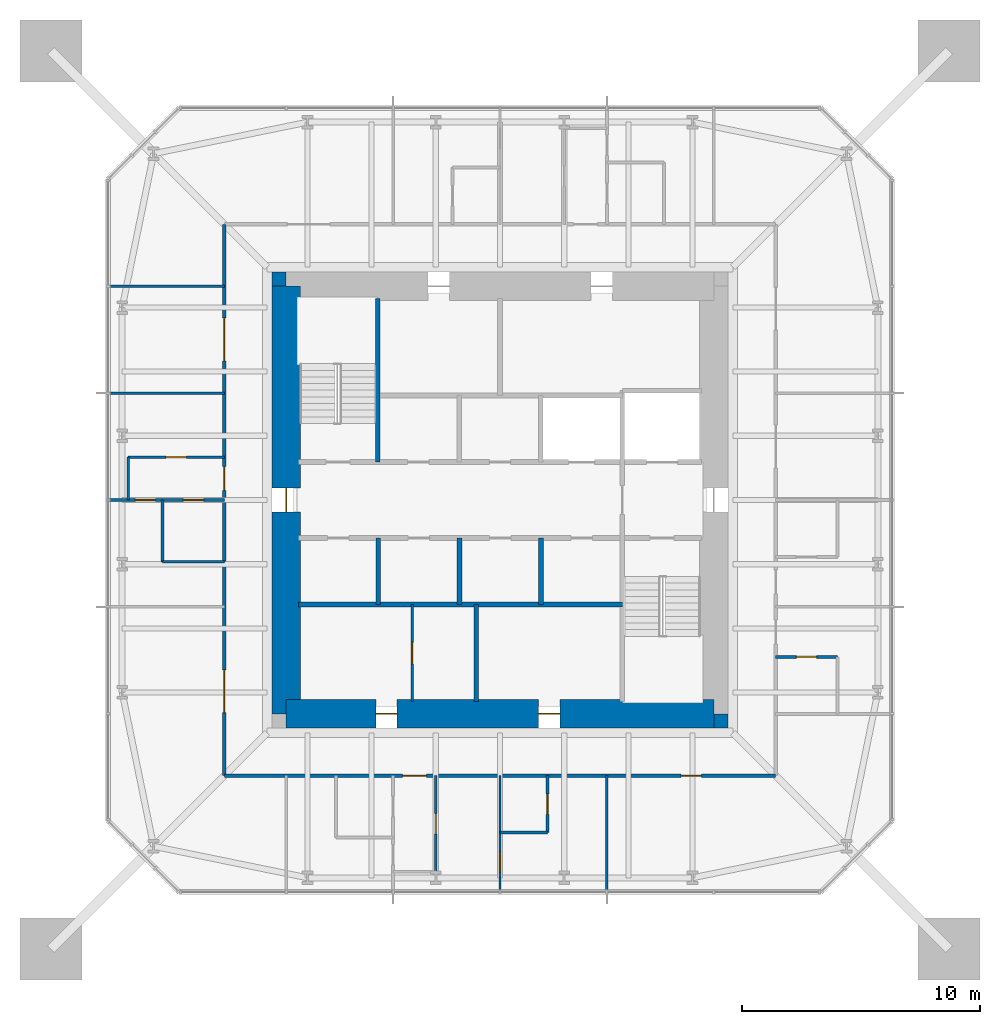
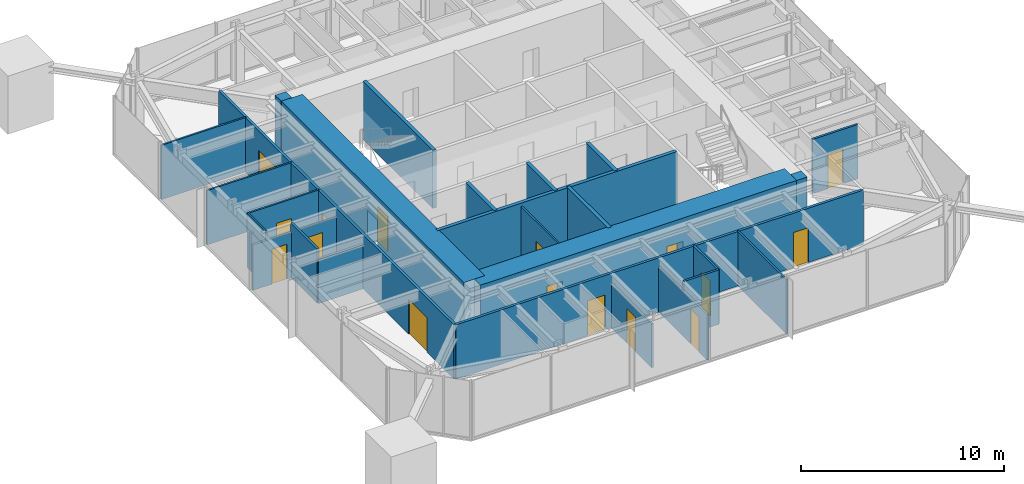
# One storey, part 6 of 9: 26 walls, 16 doors, 16 openings.
"""IFC4 building model written with IfcOpenShell, lengths in metres."""

from ifc_helpers import new_model, si_unit, direction, frame, frame_2d, origin, place, context, subcontext, project, spatial, rectangle, extrude, material, layer, layer_set, type_object, element, fill, save


model = new_model("IFC4")

# Units and contexts
model_context = context("Model", 3, precision=1e-05, world=origin(), true_north=direction((0.0, 1.0)))
body_context = subcontext(model_context, "Body", "Model", "MODEL_VIEW")
ifc_project = project(units=[si_unit("LENGTHUNIT", "METRE"), si_unit("AREAUNIT", "SQUARE_METRE"), si_unit("VOLUMEUNIT", "CUBIC_METRE"), si_unit("PLANEANGLEUNIT", "RADIAN"), si_unit("MASSUNIT", "GRAM", prefix="KILO")], contexts=[model_context])

# Site, building, storey
site_placement = place(None, origin())
site = spatial("IfcSite", under=ifc_project, at=site_placement, CompositionType="ELEMENT")
building_placement = place(site_placement, origin())
building = spatial("IfcBuilding", under=site, at=building_placement, Name="Iwan Alto Co-Living Towers", CompositionType="ELEMENT")
storey_placement = place(building_placement, frame((0.0, 0.0, 257.0)))
storey = spatial("IfcBuildingStorey", under=building, at=storey_placement, Name="L70", CompositionType="ELEMENT", Elevation=257.0)

# Wall, openings, doors
ifc_material_1 = material(Name="Gypsum board")
ifc_layer_1 = layer(ifc_material_1, 0.02490234375, Name="Board", Category="Finish")
ifc_material_2 = material(Name="Steel ASTM A1003 ST33H cold-formed studs", Category="steel")
ifc_layer_2 = layer(ifc_material_2, 0.10009765625, Name="Studs", Category="Framing")
ifc_layer_3 = layer(ifc_material_1, 0.02490234375, Name="Board", Category="Finish")
ifc_layer_set_1 = layer_set([ifc_layer_1, ifc_layer_2, ifc_layer_3], Name="CORRIDOR WALL 150")
wall_type_1 = type_object("IfcWallType", Name="CORRIDOR WALL 150", PredefinedType="PARTITIONING", material=ifc_layer_set_1)
wall_1_placement = place(storey_placement, frame((-11.60009765625, -11.60009765625, 0.0), z_axis=(0.0, 0.0, 1.0), x_axis=(1.0, 0.0, 0.0)))
wall_1 = element("IfcWall", 1, at=wall_1_placement, inside=storey, type_object=wall_type_1, Name="Partition L70", PredefinedType="PARTITIONING", context=body_context, shape_type="SweptSolid", body=[
    extrude(rectangle(XDim=23.2001953125, YDim=0.14990234375, at=frame_2d((11.60009765625, 0.0))), origin(), (0.0, 0.0, 1.0), 3.27001953125),
])
opening_1_placement = place(wall_1_placement, frame((7.5, 0.0, 0.0)))
opening_1 = element("IfcOpeningElement", 2, at=opening_1_placement, cuts=wall_1, Name="Opening D3", PredefinedType="OPENING", context=body_context, shape_type="SweptSolid", body=[
    extrude(rectangle(XDim=1.0, YDim=2.10009765625, at=frame_2d((0.5, 1.050048828125))), frame((0.0, 0.0849609375, 0.0), z_axis=(0.0, -1.0, 0.0), x_axis=(1.0, 0.0, 0.0)), (0.0, 0.0, 1.0), 0.169921875),
])
opening_2_placement = place(wall_1_placement, frame((19.22509765625, 0.0, 0.0)))
opening_2 = element("IfcOpeningElement", 3, at=opening_2_placement, cuts=wall_1, Name="Opening D2", PredefinedType="OPENING", context=body_context, shape_type="SweptSolid", body=[
    extrude(rectangle(XDim=0.85009765625, YDim=2.10009765625, at=frame_2d((0.425048828125, 1.050048828125))), frame((0.0, 0.0849609375, 0.0), z_axis=(0.0, -1.0, 0.0), x_axis=(1.0, 0.0, 0.0)), (0.0, 0.0, 1.0), 0.169921875),
])
ifc_material_3 = material(Name="Steel frame with timber leaf", Category="steel")
door_type_1 = type_object("IfcDoorType", Name="FLAT ENTRANCE DOOR FD30S 1000X2100", OperationType="SINGLE_SWING_LEFT", PredefinedType="DOOR", material=ifc_material_3)
door_1_placement = place(opening_1_placement, frame((1.0, 0.0, 0.0), z_axis=(0.0, 0.0, 1.0), x_axis=(-1.0, 0.0, 0.0)))
door_1 = element("IfcDoor", 4, at=door_1_placement, inside=storey, type_object=door_type_1, Name="Apartment foyer door L70", OperationType="SINGLE_SWING_RIGHT", OverallHeight=2.10009765625, OverallWidth=1.0, PredefinedType="DOOR", context=body_context, shape_type="SweptSolid", body=[
    extrude(rectangle(XDim=1.0, YDim=2.10009765625, at=frame_2d((0.5, 1.050048828125))), frame((0.0, 0.02490234375, 0.0), z_axis=(0.0, -1.0, 0.0), x_axis=(1.0, 0.0, 0.0)), (0.0, 0.0, 1.0), 0.050048828125),
])
fill(opening_1, door_1)
ifc_material_4 = material(Name="Timber leaf in steel frame", Category="steel")
door_type_2 = type_object("IfcDoorType", Name="ROOM DOOR 850X2100", OperationType="SINGLE_SWING_LEFT", PredefinedType="DOOR", material=ifc_material_4)
door_2_placement = place(opening_2_placement, frame((0.85009765625, 0.0, 0.0), z_axis=(0.0, 0.0, 1.0), x_axis=(-1.0, 0.0, 0.0)))
door_2 = element("IfcDoor", 5, at=door_2_placement, inside=storey, type_object=door_type_2, Name="Shared kitchen and lounge door L70", OperationType="SINGLE_SWING_RIGHT", OverallHeight=2.10009765625, OverallWidth=0.85009765625, PredefinedType="DOOR", context=body_context, shape_type="SweptSolid", body=[
    extrude(rectangle(XDim=0.85009765625, YDim=2.10009765625, at=frame_2d((0.425048828125, 1.050048828125))), frame((0.0, 0.02490234375, 0.0), z_axis=(0.0, -1.0, 0.0), x_axis=(1.0, 0.0, 0.0)), (0.0, 0.0, 1.0), 0.050048828125),
])
fill(opening_2, door_2)

wall_2_placement = place(storey_placement, frame((-11.60009765625, -11.60009765625, 0.0), z_axis=(0.0, 0.0, 1.0), x_axis=(0.0, 1.0, 0.0)))
wall_2 = element("IfcWall", 6, at=wall_2_placement, inside=storey, type_object=wall_type_1, Name="Partition L70", PredefinedType="PARTITIONING", context=body_context, shape_type="SweptSolid", body=[
    extrude(rectangle(XDim=23.2001953125, YDim=0.14990234375, at=frame_2d((11.60009765625, 0.0))), origin(), (0.0, 0.0, 1.0), 3.27001953125),
])
opening_3_placement = place(wall_2_placement, frame((17.449951171875, 0.0, 0.0)))
opening_3 = element("IfcOpeningElement", 7, at=opening_3_placement, cuts=wall_2, Name="Opening D9", PredefinedType="OPENING", context=body_context, shape_type="SweptSolid", body=[
    extrude(rectangle(XDim=1.800048828125, YDim=2.10009765625, at=frame_2d((0.89990234375, 1.050048828125))), frame((0.0, 0.0849609375, 0.0), z_axis=(0.0, -1.0, 0.0), x_axis=(1.0, 0.0, 0.0)), (0.0, 0.0, 1.0), 0.169921875),
])
opening_4_placement = place(wall_2_placement, frame((12.0, 0.0, 0.0)))
opening_4 = element("IfcOpeningElement", 8, at=opening_4_placement, cuts=wall_2, Name="Opening D3", PredefinedType="OPENING", context=body_context, shape_type="SweptSolid", body=[
    extrude(rectangle(XDim=1.0, YDim=2.10009765625, at=frame_2d((0.5, 1.050048828125))), frame((0.0, 0.0849609375, 0.0), z_axis=(0.0, -1.0, 0.0), x_axis=(1.0, 0.0, 0.0)), (0.0, 0.0, 1.0), 0.169921875),
])
opening_5_placement = place(wall_2_placement, frame((2.64990234375, 0.0, 0.0)))
opening_5 = element("IfcOpeningElement", 9, at=opening_5_placement, cuts=wall_2, Name="Opening D9", PredefinedType="OPENING", context=body_context, shape_type="SweptSolid", body=[
    extrude(rectangle(XDim=1.800048828125, YDim=2.10009765625, at=frame_2d((0.89990234375, 1.050048828125))), frame((0.0, 0.0849609375, 0.0), z_axis=(0.0, -1.0, 0.0), x_axis=(1.0, 0.0, 0.0)), (0.0, 0.0, 1.0), 0.169921875),
])
door_3_placement = place(opening_4_placement, origin())
door_3 = element("IfcDoor", 10, at=door_3_placement, inside=storey, type_object=door_type_1, Name="Apartment foyer door L70", OperationType="SINGLE_SWING_LEFT", OverallHeight=2.10009765625, OverallWidth=1.0, PredefinedType="DOOR", context=body_context, shape_type="SweptSolid", body=[
    extrude(rectangle(XDim=1.0, YDim=2.10009765625, at=frame_2d((0.5, 1.050048828125))), frame((0.0, 0.02490234375, 0.0), z_axis=(0.0, -1.0, 0.0), x_axis=(1.0, 0.0, 0.0)), (0.0, 0.0, 1.0), 0.050048828125),
])
fill(opening_4, door_3)
ifc_material_5 = material(Name="Steel frame with timber leaf", Category="steel")
door_type_3 = type_object("IfcDoorType", Name="LOUNGE DOOR FD30S 1800X2100", OperationType="DOUBLE_DOOR_SINGLE_SWING", PredefinedType="DOOR", material=ifc_material_5)
door_4_placement = place(opening_3_placement, origin())
door_4 = element("IfcDoor", 11, at=door_4_placement, inside=storey, type_object=door_type_3, Name="Co-working room door L70", OperationType="DOUBLE_DOOR_SINGLE_SWING", OverallHeight=2.10009765625, OverallWidth=1.800048828125, PredefinedType="DOOR", context=body_context, shape_type="SweptSolid", body=[
    extrude(rectangle(XDim=1.800048828125, YDim=2.10009765625, at=frame_2d((0.89990234375, 1.050048828125))), frame((0.0, 0.02490234375, 0.0), z_axis=(0.0, -1.0, 0.0), x_axis=(1.0, 0.0, 0.0)), (0.0, 0.0, 1.0), 0.050048828125),
])
fill(opening_3, door_4)
door_5_placement = place(opening_5_placement, origin())
door_5 = element("IfcDoor", 12, at=door_5_placement, inside=storey, type_object=door_type_3, Name="Courtyard lounge door L70", OperationType="DOUBLE_DOOR_SINGLE_SWING", OverallHeight=2.10009765625, OverallWidth=1.800048828125, PredefinedType="DOOR", context=body_context, shape_type="SweptSolid", body=[
    extrude(rectangle(XDim=1.800048828125, YDim=2.10009765625, at=frame_2d((0.89990234375, 1.050048828125))), frame((0.0, 0.02490234375, 0.0), z_axis=(0.0, -1.0, 0.0), x_axis=(1.0, 0.0, 0.0)), (0.0, 0.0, 1.0), 0.050048828125),
])
fill(opening_5, door_5)

# Wall, opening, door
ifc_layer_4 = layer(ifc_material_1, 0.012451171875, Name="Board", Category="Finish")
ifc_layer_5 = layer(ifc_material_2, 0.074951171875, Name="Studs", Category="Framing")
ifc_layer_6 = layer(ifc_material_1, 0.012451171875, Name="Board", Category="Finish")
ifc_layer_set_2 = layer_set([ifc_layer_4, ifc_layer_5, ifc_layer_6], Name="PARTITION 100")
wall_type_2 = type_object("IfcWallType", Name="PARTITION 100", PredefinedType="PARTITIONING", material=ifc_layer_set_2)
wall_3_placement = place(storey_placement, frame((-15.64990234375, 1.800048828125, 0.0), z_axis=(0.0, 0.0, 1.0), x_axis=(1.0, 0.0, 0.0)))
wall_3 = element("IfcWall", 13, at=wall_3_placement, inside=storey, type_object=wall_type_2, Name="Partition L70", PredefinedType="PARTITIONING", context=body_context, shape_type="SweptSolid", body=[
    extrude(rectangle(XDim=4.0498046875, YDim=0.10009765625, at=frame_2d((2.02490234375, 0.0))), origin(), (0.0, 0.0, 1.0), 3.27001953125),
])
opening_6_placement = place(wall_3_placement, frame((1.60009765625, 0.0, 0.0)))
opening_6 = element("IfcOpeningElement", 14, at=opening_6_placement, cuts=wall_3, Name="Opening D2", PredefinedType="OPENING", context=body_context, shape_type="SweptSolid", body=[
    extrude(rectangle(XDim=0.85009765625, YDim=2.10009765625, at=frame_2d((0.425048828125, 1.050048828125))), frame((0.0, 0.06005859375, 0.0), z_axis=(0.0, -1.0, 0.0), x_axis=(1.0, 0.0, 0.0)), (0.0, 0.0, 1.0), 0.1201171875),
])
door_6_placement = place(opening_6_placement, origin())
door_6 = element("IfcDoor", 15, at=door_6_placement, inside=storey, type_object=door_type_2, Name="Apartment foyer door L70", OperationType="SINGLE_SWING_RIGHT", OverallHeight=2.10009765625, OverallWidth=0.85009765625, PredefinedType="DOOR", context=body_context, shape_type="SweptSolid", body=[
    extrude(rectangle(XDim=0.85009765625, YDim=2.10009765625, at=frame_2d((0.425048828125, 1.050048828125))), frame((0.0, 0.02490234375, 0.0), z_axis=(0.0, -1.0, 0.0), x_axis=(1.0, 0.0, 0.0)), (0.0, 0.0, 1.0), 0.050048828125),
])
fill(opening_6, door_6)

# Walls
for number, where, z_axis, x_axis, name in (
    (16, (-16.43994140625, 4.5, 0.0), (0.0, 0.0, 1.0), (1.0, 0.0, 0.0), "Partition L70"),
    (17, (-16.43994140625, 9.0, 0.0), (0.0, 0.0, 1.0), (1.0, 0.0, 0.0), "Partition L70"),
    (18, (4.5, -16.43994140625, 0.0), (0.0, 0.0, 1.0), (0.0, 1.0, 0.0), "Partition L70"),
):
    element("IfcWall", number, at=place(storey_placement, frame(where, z_axis=z_axis, x_axis=x_axis)), inside=storey, type_object=wall_type_2, Name=name, PredefinedType="PARTITIONING", context=body_context, shape_type="SweptSolid", body=[
        extrude(rectangle(XDim=4.83984375, YDim=0.10009765625, at=frame_2d((2.419921875, 0.0))), origin(), (0.0, 0.0, 1.0), 3.27001953125),
    ])

# Wall, opening, door
wall_4_placement = place(storey_placement, frame((0.0, -16.43994140625, 0.0), z_axis=(0.0, 0.0, 1.0), x_axis=(0.0, 1.0, 0.0)))
wall_4 = element("IfcWall", 19, at=wall_4_placement, inside=storey, type_object=wall_type_2, Name="Partition L70", PredefinedType="PARTITIONING", context=body_context, shape_type="SweptSolid", body=[
    extrude(rectangle(XDim=4.83984375, YDim=0.10009765625, at=frame_2d((2.419921875, 0.0))), origin(), (0.0, 0.0, 1.0), 2.736572265625),
])
opening_7_placement = place(wall_4_placement, frame((0.794921875, 0.0, 0.0)))
opening_7 = element("IfcOpeningElement", 20, at=opening_7_placement, cuts=wall_4, Name="Opening D2", PredefinedType="OPENING", context=body_context, shape_type="SweptSolid", body=[
    extrude(rectangle(XDim=0.85009765625, YDim=2.10009765625, at=frame_2d((0.425048828125, 1.050048828125))), frame((0.0, 0.06005859375, 0.0), z_axis=(0.0, -1.0, 0.0), x_axis=(1.0, 0.0, 0.0)), (0.0, 0.0, 1.0), 0.1201171875),
])
door_7_placement = place(opening_7_placement, frame((0.85009765625, 0.0, 0.0), z_axis=(0.0, 0.0, 1.0), x_axis=(-1.0, 0.0, 0.0)))
door_7 = element("IfcDoor", 21, at=door_7_placement, inside=storey, type_object=door_type_2, Name="Bedroom door L70", OperationType="SINGLE_SWING_LEFT", OverallHeight=2.10009765625, OverallWidth=0.85009765625, PredefinedType="DOOR", context=body_context, shape_type="SweptSolid", body=[
    extrude(rectangle(XDim=0.85009765625, YDim=2.10009765625, at=frame_2d((0.425048828125, 1.050048828125))), frame((0.0, 0.02490234375, 0.0), z_axis=(0.0, -1.0, 0.0), x_axis=(1.0, 0.0, 0.0)), (0.0, 0.0, 1.0), 0.050048828125),
])
fill(opening_7, door_7)

wall_5_placement = place(storey_placement, frame((-2.699951171875, -15.64990234375, 0.0), z_axis=(0.0, 0.0, 1.0), x_axis=(0.0, 1.0, 0.0)))
wall_5 = element("IfcWall", 22, at=wall_5_placement, inside=storey, type_object=wall_type_2, Name="Partition L70", PredefinedType="PARTITIONING", context=body_context, shape_type="SweptSolid", body=[
    extrude(rectangle(XDim=4.0498046875, YDim=0.10009765625, at=frame_2d((2.02490234375, 0.0))), origin(), (0.0, 0.0, 1.0), 2.662841796875),
])
opening_8_placement = place(wall_5_placement, frame((1.60009765625, 0.0, 0.0)))
opening_8 = element("IfcOpeningElement", 23, at=opening_8_placement, cuts=wall_5, Name="Opening D2", PredefinedType="OPENING", context=body_context, shape_type="SweptSolid", body=[
    extrude(rectangle(XDim=0.85009765625, YDim=2.10009765625, at=frame_2d((0.425048828125, 1.050048828125))), frame((0.0, 0.06005859375, 0.0), z_axis=(0.0, -1.0, 0.0), x_axis=(1.0, 0.0, 0.0)), (0.0, 0.0, 1.0), 0.1201171875),
])
door_8_placement = place(opening_8_placement, frame((0.85009765625, 0.0, 0.0), z_axis=(0.0, 0.0, 1.0), x_axis=(-1.0, 0.0, 0.0)))
door_8 = element("IfcDoor", 24, at=door_8_placement, inside=storey, type_object=door_type_2, Name="Apartment foyer door L70", OperationType="SINGLE_SWING_RIGHT", OverallHeight=2.10009765625, OverallWidth=0.85009765625, PredefinedType="DOOR", context=body_context, shape_type="SweptSolid", body=[
    extrude(rectangle(XDim=0.85009765625, YDim=2.10009765625, at=frame_2d((0.425048828125, 1.050048828125))), frame((0.0, 0.02490234375, 0.0), z_axis=(0.0, -1.0, 0.0), x_axis=(1.0, 0.0, 0.0)), (0.0, 0.0, 1.0), 0.050048828125),
])
fill(opening_8, door_8)

wall_6_placement = place(storey_placement, frame((-3.699951171875, -8.489990234375, 0.0), z_axis=(0.0, 0.0, 1.0), x_axis=(0.0, 1.0, 0.0)))
wall_6 = element("IfcWall", 25, at=wall_6_placement, inside=storey, type_object=wall_type_2, Name="Partition L70", PredefinedType="PARTITIONING", context=body_context, shape_type="SweptSolid", body=[
    extrude(rectangle(XDim=4.090087890625, YDim=0.10009765625, at=frame_2d((2.044921875, 0.0))), origin(), (0.0, 0.0, 1.0), 3.300048828125),
])
opening_9_placement = place(wall_6_placement, frame((1.594970703125, 0.0, 0.0)))
opening_9 = element("IfcOpeningElement", 26, at=opening_9_placement, cuts=wall_6, Name="Opening D16", PredefinedType="OPENING", context=body_context, shape_type="SweptSolid", body=[
    extrude(rectangle(XDim=0.89990234375, YDim=2.10009765625, at=frame_2d((0.449951171875, 1.050048828125))), frame((0.0, 0.06005859375, 0.0), z_axis=(0.0, -1.0, 0.0), x_axis=(1.0, 0.0, 0.0)), (0.0, 0.0, 1.0), 0.1201171875),
])
ifc_material_6 = material(Name="Timber leaf in steel frame", Category="steel")
door_type_4 = type_object("IfcDoorType", Name="CUPBOARD SLIDING DOOR 900X2100", OperationType="SLIDING_TO_LEFT", PredefinedType="DOOR", material=ifc_material_6)
door_9_placement = place(opening_9_placement, origin())
door_9 = element("IfcDoor", 27, at=door_9_placement, inside=storey, type_object=door_type_4, Name="Recycling store door L70", OperationType="SLIDING_TO_LEFT", OverallHeight=2.10009765625, OverallWidth=0.89990234375, PredefinedType="DOOR", context=body_context, shape_type="SweptSolid", body=[
    extrude(rectangle(XDim=0.89990234375, YDim=2.10009765625, at=frame_2d((0.449951171875, 1.050048828125))), frame((0.0, 0.02490234375, 0.0), z_axis=(0.0, -1.0, 0.0), x_axis=(1.0, 0.0, 0.0)), (0.0, 0.0, 1.0), 0.050048828125),
])
fill(opening_9, door_9)

# Walls
wall_7_placement = place(storey_placement, frame((-15.64990234375, 0.0, 0.0), z_axis=(0.0, 0.0, 1.0), x_axis=(0.0, 1.0, 0.0)))
element("IfcWall", 28, at=wall_7_placement, inside=storey, type_object=wall_type_2, Name="Partition L70", PredefinedType="PARTITIONING", context=body_context, shape_type="SweptSolid", body=[
    extrude(rectangle(XDim=1.800048828125, YDim=0.10009765625, at=frame_2d((0.89990234375, 0.0))), origin(), (0.0, 0.0, 1.0), 3.27001953125),
])
ifc_material_7 = material(Name="Concrete f'c 70 MPa", Category="concrete")
ifc_layer_7 = layer(ifc_material_7, 0.199951171875)
ifc_layer_set_3 = layer_set([ifc_layer_7], Name="SHAFT WALL 200")
wall_type_3 = type_object("IfcWallType", Name="SHAFT WALL 200", PredefinedType="SOLIDWALL", material=ifc_layer_set_3)
wall_8_placement = place(storey_placement, frame((-8.489990234375, -4.39990234375, 0.0), z_axis=(0.0, 0.0, 1.0), x_axis=(1.0, 0.0, 0.0)))
element("IfcWall", 29, at=wall_8_placement, inside=storey, type_object=wall_type_3, Name="Shaft wall L70", PredefinedType="SOLIDWALL", context=body_context, shape_type="SweptSolid", body=[
    extrude(rectangle(XDim=13.639892578125, YDim=0.199951171875, at=frame_2d((6.81982421875, 0.0))), origin(), (0.0, 0.0, 1.0), 3.5),
])
wall_9_placement = place(storey_placement, frame((1.72509765625, -4.39990234375, 0.0), z_axis=(0.0, 0.0, 1.0), x_axis=(0.0, 1.0, 0.0)))
element("IfcWall", 30, at=wall_9_placement, inside=storey, type_object=wall_type_3, Name="Shaft wall L70", PredefinedType="SOLIDWALL", context=body_context, shape_type="SweptSolid", body=[
    extrude(rectangle(XDim=2.7998046875, YDim=0.199951171875, at=frame_2d((1.39990234375, 0.0))), origin(), (0.0, 0.0, 1.0), 3.5),
])
wall_10_placement = place(storey_placement, frame((-1.0, -8.489990234375, 0.0), z_axis=(0.0, 0.0, 1.0), x_axis=(0.0, 1.0, 0.0)))
element("IfcWall", 31, at=wall_10_placement, inside=storey, type_object=wall_type_3, Name="Shaft wall L70", PredefinedType="SOLIDWALL", context=body_context, shape_type="SweptSolid", body=[
    extrude(rectangle(XDim=4.090087890625, YDim=0.199951171875, at=frame_2d((2.044921875, 0.0))), origin(), (0.0, 0.0, 1.0), 3.5),
])
for number, where, z_axis, x_axis, name in (
    (32, (-1.699951171875, -4.39990234375, 0.0), (0.0, 0.0, 1.0), (0.0, 1.0, 0.0), "Shaft wall L70"),
    (33, (-5.125, -4.39990234375, 0.0), (0.0, 0.0, 1.0), (0.0, 1.0, 0.0), "Shaft wall L70"),
):
    element("IfcWall", number, at=place(storey_placement, frame(where, z_axis=z_axis, x_axis=x_axis)), inside=storey, type_object=wall_type_3, Name=name, PredefinedType="SOLIDWALL", context=body_context, shape_type="SweptSolid", body=[
        extrude(rectangle(XDim=2.7998046875, YDim=0.199951171875, at=frame_2d((1.39990234375, 0.0))), origin(), (0.0, 0.0, 1.0), 3.5),
    ])
wall_11_placement = place(storey_placement, frame((-5.14990234375, 1.60009765625, 0.0), z_axis=(0.0, 0.0, 1.0), x_axis=(0.0, 1.0, 0.0)))
element("IfcWall", 34, at=wall_11_placement, inside=storey, type_object=wall_type_3, Name="Shaft wall L70", PredefinedType="SOLIDWALL", context=body_context, shape_type="SweptSolid", body=[
    extrude(rectangle(XDim=6.889892578125, YDim=0.199951171875, at=frame_2d((3.44482421875, 0.0))), origin(), (0.0, 0.0, 1.0), 3.5),
])
ifc_material_8 = material(Name="Concrete f'c 70 MPa", Category="concrete")
ifc_layer_8 = layer(ifc_material_8, 0.60009765625)
ifc_layer_set_4 = layer_set([ifc_layer_8], Name="T1 CORE CORNER FILL 600")
wall_type_4 = type_object("IfcWallType", Name="T1 CORE CORNER FILL 600", PredefinedType="SOLIDWALL", material=ifc_layer_set_4)
for number, where, z_axis, x_axis, name in (
    (35, (9.0, -9.300048828125, 0.0), (0.0, 0.0, 1.0), (1.0, 0.0, 0.0), "T1 core corner SE L70"),
    (36, (-9.60009765625, 9.300048828125, 0.0), (0.0, 0.0, 1.0), (1.0, 0.0, 0.0), "T1 core corner NW L70"),
):
    element("IfcWall", number, at=place(storey_placement, frame(where, z_axis=z_axis, x_axis=x_axis)), inside=storey, type_object=wall_type_4, Name=name, PredefinedType="SOLIDWALL", context=body_context, shape_type="SweptSolid", body=[
        extrude(rectangle(XDim=0.60009765625, YDim=0.60009765625, at=frame_2d((0.300048828125, 0.0))), origin(), (0.0, 0.0, 1.0), 3.5),
    ])

# Wall, openings, doors
ifc_material_9 = material(Name="Concrete f'c 70 MPa", Category="concrete")
ifc_layer_9 = layer(ifc_material_9, 1.199951171875)
ifc_layer_set_5 = layer_set([ifc_layer_9], Name="T1 CORE WALL 1200")
wall_type_5 = type_object("IfcWallType", Name="T1 CORE WALL 1200", PredefinedType="SHEAR", material=ifc_layer_set_5)
wall_12_placement = place(storey_placement, frame((-9.0, -9.0, 0.0), z_axis=(0.0, 0.0, 1.0), x_axis=(1.0, 0.0, 0.0)))
wall_12 = element("IfcWall", 37, at=wall_12_placement, inside=storey, type_object=wall_type_5, Name="T1 core wall S L70", PredefinedType="SHEAR", context=body_context, shape_type="SweptSolid", body=[
    extrude(rectangle(XDim=18.0, YDim=1.199951171875, at=frame_2d((9.0, 0.0))), origin(), (0.0, 0.0, 1.0), 3.5),
])
opening_10_placement = place(wall_12_placement, frame((3.77490234375, 0.0, 0.0)))
opening_10 = element("IfcOpeningElement", 38, at=opening_10_placement, cuts=wall_12, Name="Opening D8", PredefinedType="OPENING", context=body_context, shape_type="SweptSolid", body=[
    extrude(rectangle(XDim=0.89990234375, YDim=2.10009765625, at=frame_2d((0.449951171875, 1.050048828125))), frame((0.0, 0.60986328125, 0.0), z_axis=(0.0, -1.0, 0.0), x_axis=(1.0, 0.0, 0.0)), (0.0, 0.0, 1.0), 1.219970703125),
])
opening_11_placement = place(wall_12_placement, frame((10.625, 0.0, 0.0)))
opening_11 = element("IfcOpeningElement", 39, at=opening_11_placement, cuts=wall_12, Name="Opening D8", PredefinedType="OPENING", context=body_context, shape_type="SweptSolid", body=[
    extrude(rectangle(XDim=0.89990234375, YDim=2.10009765625, at=frame_2d((0.449951171875, 1.050048828125))), frame((0.0, 0.60986328125, 0.0), z_axis=(0.0, -1.0, 0.0), x_axis=(1.0, 0.0, 0.0)), (0.0, 0.0, 1.0), 1.219970703125),
])
ifc_material_10 = material(Name="Steel frame with timber leaf", Category="steel")
door_type_5 = type_object("IfcDoorType", Name="RISER DOOR FD120 900X2100", OperationType="SINGLE_SWING_LEFT", PredefinedType="DOOR", material=ifc_material_10)
door_10_placement = place(opening_10_placement, origin())
door_10 = element("IfcDoor", 40, at=door_10_placement, inside=storey, type_object=door_type_5, Name="Refuse room core door L70", OperationType="SINGLE_SWING_RIGHT", OverallHeight=2.10009765625, OverallWidth=0.89990234375, PredefinedType="DOOR", context=body_context, shape_type="SweptSolid", body=[
    extrude(rectangle(XDim=0.89990234375, YDim=2.10009765625, at=frame_2d((0.449951171875, 1.050048828125))), frame((0.0, 0.02490234375, 0.0), z_axis=(0.0, -1.0, 0.0), x_axis=(1.0, 0.0, 0.0)), (0.0, 0.0, 1.0), 0.050048828125),
])
fill(opening_10, door_10)
door_11_placement = place(opening_11_placement, origin())
door_11 = element("IfcDoor", 41, at=door_11_placement, inside=storey, type_object=door_type_5, Name="Telecom riser core door L70", OperationType="SINGLE_SWING_LEFT", OverallHeight=2.10009765625, OverallWidth=0.89990234375, PredefinedType="DOOR", context=body_context, shape_type="SweptSolid", body=[
    extrude(rectangle(XDim=0.89990234375, YDim=2.10009765625, at=frame_2d((0.449951171875, 1.050048828125))), frame((0.0, 0.02490234375, 0.0), z_axis=(0.0, -1.0, 0.0), x_axis=(1.0, 0.0, 0.0)), (0.0, 0.0, 1.0), 0.050048828125),
])
fill(opening_11, door_11)

# Wall, opening, door
wall_13_placement = place(storey_placement, frame((-9.0, 9.0, 0.0), z_axis=(0.0, 0.0, 1.0), x_axis=(0.0, -1.0, 0.0)))
wall_13 = element("IfcWall", 42, at=wall_13_placement, inside=storey, type_object=wall_type_5, Name="T1 core wall W L70", PredefinedType="SHEAR", context=body_context, shape_type="SweptSolid", body=[
    extrude(rectangle(XDim=18.0, YDim=1.199951171875, at=frame_2d((9.0, 0.0))), origin(), (0.0, 0.0, 1.0), 3.5),
])
opening_12_placement = place(wall_13_placement, frame((8.5, 0.0, 0.0)))
opening_12 = element("IfcOpeningElement", 43, at=opening_12_placement, cuts=wall_13, Name="Opening D7", PredefinedType="OPENING", context=body_context, shape_type="SweptSolid", body=[
    extrude(rectangle(XDim=1.0, YDim=2.10009765625, at=frame_2d((0.5, 1.050048828125))), frame((0.0, 0.60986328125, 0.0), z_axis=(0.0, -1.0, 0.0), x_axis=(1.0, 0.0, 0.0)), (0.0, 0.0, 1.0), 1.219970703125),
])
ifc_material_11 = material(Name="Steel frame with timber leaf", Category="steel")
door_type_6 = type_object("IfcDoorType", Name="CORE DOOR FD120S 1000X2100", OperationType="SINGLE_SWING_LEFT", PredefinedType="DOOR", material=ifc_material_11)
door_12_placement = place(opening_12_placement, origin())
door_12 = element("IfcDoor", 44, at=door_12_placement, inside=storey, type_object=door_type_6, Name="Lift lobby core door L70", OperationType="SINGLE_SWING_RIGHT", OverallHeight=2.10009765625, OverallWidth=1.0, PredefinedType="DOOR", context=body_context, shape_type="SweptSolid", body=[
    extrude(rectangle(XDim=1.0, YDim=2.10009765625, at=frame_2d((0.5, 1.050048828125))), frame((0.0, 0.02490234375, 0.0), z_axis=(0.0, -1.0, 0.0), x_axis=(1.0, 0.0, 0.0)), (0.0, 0.0, 1.0), 0.050048828125),
])
fill(opening_12, door_12)

# Wall
ifc_material_12 = material(Name="Cement board")
ifc_layer_10 = layer(ifc_material_12, 0.012451171875, Name="Board", Category="Finish")
ifc_layer_11 = layer(ifc_material_2, 0.094970703125, Name="Studs", Category="Framing")
ifc_layer_12 = layer(ifc_material_12, 0.012451171875, Name="Board", Category="Finish")
ifc_layer_set_6 = layer_set([ifc_layer_10, ifc_layer_11, ifc_layer_12], Name="WET AREA PARTITION 120")
wall_type_6 = type_object("IfcWallType", Name="WET AREA PARTITION 120", PredefinedType="PARTITIONING", material=ifc_layer_set_6)
wall_14_placement = place(storey_placement, frame((0.0, -14.0, 0.0), z_axis=(0.0, 0.0, 1.0), x_axis=(1.0, 0.0, 0.0)))
element("IfcWall", 45, at=wall_14_placement, inside=storey, type_object=wall_type_6, Name="Partition L70", PredefinedType="PARTITIONING", context=body_context, shape_type="SweptSolid", body=[
    extrude(rectangle(XDim=2.0, YDim=0.1201171875, at=frame_2d((1.0, 0.0))), origin(), (0.0, 0.0, 1.0), 3.27001953125),
])

# Wall, opening, door
wall_15_placement = place(storey_placement, frame((11.60009765625, -6.60009765625, 0.0), z_axis=(0.0, 0.0, 1.0), x_axis=(1.0, 0.0, 0.0)))
wall_15 = element("IfcWall", 46, at=wall_15_placement, inside=storey, type_object=wall_type_6, Name="Partition L70", PredefinedType="PARTITIONING", context=body_context, shape_type="SweptSolid", body=[
    extrude(rectangle(XDim=2.599853515625, YDim=0.1201171875, at=frame_2d((1.2998046875, 0.0))), origin(), (0.0, 0.0, 1.0), 3.27001953125),
])
opening_13_placement = place(wall_15_placement, frame((0.875, 0.0, 0.0)))
opening_13 = element("IfcOpeningElement", 47, at=opening_13_placement, cuts=wall_15, Name="Opening D2", PredefinedType="OPENING", context=body_context, shape_type="SweptSolid", body=[
    extrude(rectangle(XDim=0.85009765625, YDim=2.10009765625, at=frame_2d((0.425048828125, 1.050048828125))), frame((0.0, 0.070068359375, 0.0), z_axis=(0.0, -1.0, 0.0), x_axis=(1.0, 0.0, 0.0)), (0.0, 0.0, 1.0), 0.14013671875),
])
door_13_placement = place(opening_13_placement, origin())
door_13 = element("IfcDoor", 48, at=door_13_placement, inside=storey, type_object=door_type_2, Name="En-suite shower room door L70", OperationType="SINGLE_SWING_LEFT", OverallHeight=2.10009765625, OverallWidth=0.85009765625, PredefinedType="DOOR", context=body_context, shape_type="SweptSolid", body=[
    extrude(rectangle(XDim=0.85009765625, YDim=2.10009765625, at=frame_2d((0.425048828125, 1.050048828125))), frame((0.0, 0.02490234375, 0.0), z_axis=(0.0, -1.0, 0.0), x_axis=(1.0, 0.0, 0.0)), (0.0, 0.0, 1.0), 0.050048828125),
])
fill(opening_13, door_13)

# Wall
wall_16_placement = place(storey_placement, frame((-14.199951171875, -2.60009765625, 0.0), z_axis=(0.0, 0.0, 1.0), x_axis=(1.0, 0.0, 0.0)))
element("IfcWall", 49, at=wall_16_placement, inside=storey, type_object=wall_type_6, Name="Partition L70", PredefinedType="PARTITIONING", context=body_context, shape_type="SweptSolid", body=[
    extrude(rectangle(XDim=2.599853515625, YDim=0.1201171875, at=frame_2d((1.2998046875, 0.0))), origin(), (0.0, 0.0, 1.0), 2.662841796875),
])

# Wall, openings, doors
wall_17_placement = place(storey_placement, frame((-16.43994140625, 0.0, 0.0), z_axis=(0.0, 0.0, 1.0), x_axis=(1.0, 0.0, 0.0)))
wall_17 = element("IfcWall", 50, at=wall_17_placement, inside=storey, type_object=wall_type_6, Name="Partition L70", PredefinedType="PARTITIONING", context=body_context, shape_type="SweptSolid", body=[
    extrude(rectangle(XDim=4.83984375, YDim=0.1201171875, at=frame_2d((2.419921875, 0.0))), origin(), (0.0, 0.0, 1.0), 2.736572265625),
])
opening_14_placement = place(wall_17_placement, frame((1.090087890625, 0.0, 0.0)))
opening_14 = element("IfcOpeningElement", 51, at=opening_14_placement, cuts=wall_17, Name="Opening D2", PredefinedType="OPENING", context=body_context, shape_type="SweptSolid", body=[
    extrude(rectangle(XDim=0.85009765625, YDim=2.10009765625, at=frame_2d((0.425048828125, 1.050048828125))), frame((0.0, 0.070068359375, 0.0), z_axis=(0.0, -1.0, 0.0), x_axis=(1.0, 0.0, 0.0)), (0.0, 0.0, 1.0), 0.14013671875),
])
opening_15_placement = place(wall_17_placement, frame((3.114990234375, 0.0, 0.0)))
opening_15 = element("IfcOpeningElement", 52, at=opening_15_placement, cuts=wall_17, Name="Opening D2", PredefinedType="OPENING", context=body_context, shape_type="SweptSolid", body=[
    extrude(rectangle(XDim=0.85009765625, YDim=2.10009765625, at=frame_2d((0.425048828125, 1.050048828125))), frame((0.0, 0.070068359375, 0.0), z_axis=(0.0, -1.0, 0.0), x_axis=(1.0, 0.0, 0.0)), (0.0, 0.0, 1.0), 0.14013671875),
])
door_14_placement = place(opening_14_placement, frame((0.85009765625, 0.0, 0.0), z_axis=(0.0, 0.0, 1.0), x_axis=(-1.0, 0.0, 0.0)))
door_14 = element("IfcDoor", 53, at=door_14_placement, inside=storey, type_object=door_type_2, Name="Bedroom door L70", OperationType="SINGLE_SWING_LEFT", OverallHeight=2.10009765625, OverallWidth=0.85009765625, PredefinedType="DOOR", context=body_context, shape_type="SweptSolid", body=[
    extrude(rectangle(XDim=0.85009765625, YDim=2.10009765625, at=frame_2d((0.425048828125, 1.050048828125))), frame((0.0, 0.02490234375, 0.0), z_axis=(0.0, -1.0, 0.0), x_axis=(1.0, 0.0, 0.0)), (0.0, 0.0, 1.0), 0.050048828125),
])
fill(opening_14, door_14)
door_15_placement = place(opening_15_placement, frame((0.85009765625, 0.0, 0.0), z_axis=(0.0, 0.0, 1.0), x_axis=(-1.0, 0.0, 0.0)))
door_15 = element("IfcDoor", 54, at=door_15_placement, inside=storey, type_object=door_type_2, Name="Accessible bathroom door L70", OperationType="SINGLE_SWING_RIGHT", OverallHeight=2.10009765625, OverallWidth=0.85009765625, PredefinedType="DOOR", context=body_context, shape_type="SweptSolid", body=[
    extrude(rectangle(XDim=0.85009765625, YDim=2.10009765625, at=frame_2d((0.425048828125, 1.050048828125))), frame((0.0, 0.02490234375, 0.0), z_axis=(0.0, -1.0, 0.0), x_axis=(1.0, 0.0, 0.0)), (0.0, 0.0, 1.0), 0.050048828125),
])
fill(opening_15, door_15)

# Wall, opening, door
wall_18_placement = place(storey_placement, frame((2.0, -14.0, 0.0), z_axis=(0.0, 0.0, 1.0), x_axis=(0.0, 1.0, 0.0)))
wall_18 = element("IfcWall", 55, at=wall_18_placement, inside=storey, type_object=wall_type_6, Name="Partition L70", PredefinedType="PARTITIONING", context=body_context, shape_type="SweptSolid", body=[
    extrude(rectangle(XDim=2.39990234375, YDim=0.1201171875, at=frame_2d((1.199951171875, 0.0))), origin(), (0.0, 0.0, 1.0), 3.27001953125),
])
opening_16_placement = place(wall_18_placement, frame((0.77490234375, 0.0, 0.0)))
opening_16 = element("IfcOpeningElement", 56, at=opening_16_placement, cuts=wall_18, Name="Opening D2", PredefinedType="OPENING", context=body_context, shape_type="SweptSolid", body=[
    extrude(rectangle(XDim=0.85009765625, YDim=2.10009765625, at=frame_2d((0.425048828125, 1.050048828125))), frame((0.0, 0.070068359375, 0.0), z_axis=(0.0, -1.0, 0.0), x_axis=(1.0, 0.0, 0.0)), (0.0, 0.0, 1.0), 0.14013671875),
])
door_16_placement = place(opening_16_placement, frame((0.85009765625, 0.0, 0.0), z_axis=(0.0, 0.0, 1.0), x_axis=(-1.0, 0.0, 0.0)))
door_16 = element("IfcDoor", 57, at=door_16_placement, inside=storey, type_object=door_type_2, Name="En-suite shower room door L70", OperationType="SINGLE_SWING_LEFT", OverallHeight=2.10009765625, OverallWidth=0.85009765625, PredefinedType="DOOR", context=body_context, shape_type="SweptSolid", body=[
    extrude(rectangle(XDim=0.85009765625, YDim=2.10009765625, at=frame_2d((0.425048828125, 1.050048828125))), frame((0.0, 0.02490234375, 0.0), z_axis=(0.0, -1.0, 0.0), x_axis=(1.0, 0.0, 0.0)), (0.0, 0.0, 1.0), 0.050048828125),
])
fill(opening_16, door_16)

# Wall
wall_19_placement = place(storey_placement, frame((-14.199951171875, -2.60009765625, 0.0), z_axis=(0.0, 0.0, 1.0), x_axis=(0.0, 1.0, 0.0)))
element("IfcWall", 58, at=wall_19_placement, inside=storey, type_object=wall_type_6, Name="Partition L70", PredefinedType="PARTITIONING", context=body_context, shape_type="SweptSolid", body=[
    extrude(rectangle(XDim=2.60009765625, YDim=0.1201171875, at=frame_2d((1.300048828125, 0.0))), origin(), (0.0, 0.0, 1.0), 3.27001953125),
])

save(model, "model.ifc")
